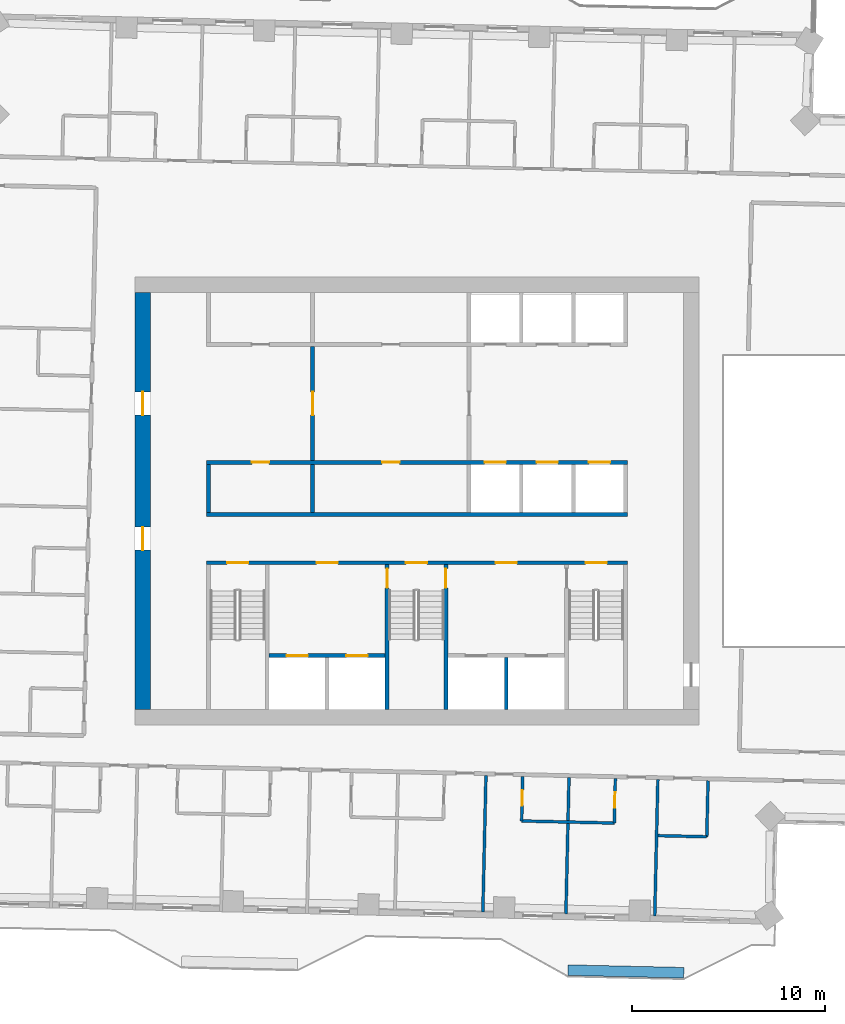
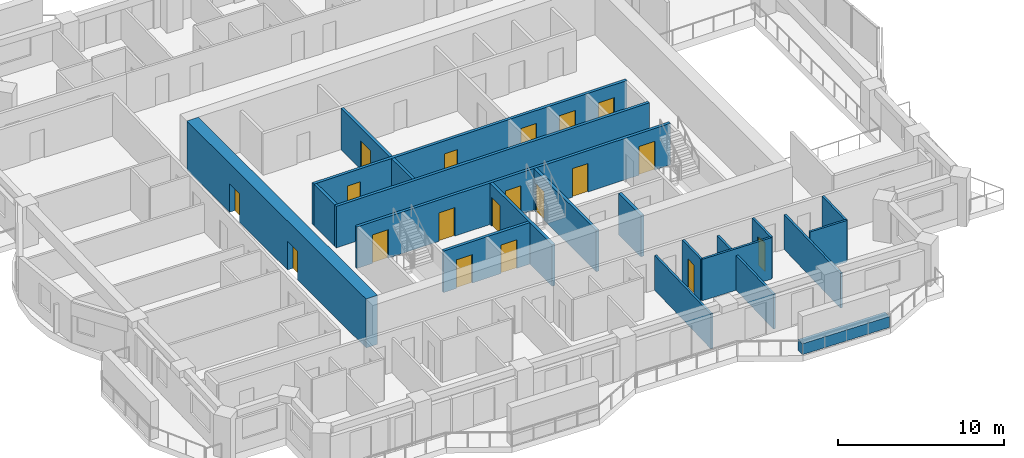
# One storey, part 8 of 16: 20 walls, 19 doors, 19 openings.
"""IFC4 building model written with IfcOpenShell, lengths in metres."""

import ifcopenshell
import ifcopenshell.guid

model = None  # the IFC model being written
_history = None  # IfcOwnerHistory: only IFC2X3 demands one
_inside = {}  # id of a spatial element -> (the spatial element, [elements in it])
_under = {}  # id of a project, library or spatial element -> (it, [spatial elements below it])
_declared = {}  # id of a project -> (the project, [libraries it declares])
_typed = {}  # id of a type object -> (the type object, [elements of that type])
_made_of = {}  # id of a material, layer set ... -> (it, [elements and type objects made of it])


def new_model(schema):
    """Start an empty IFC model of exactly this schema.

    Asked for "IFC4X3", IfcOpenShell would pick the latest addendum, in which some entities
    have other attributes; the version numbers below select the first issue.
    IFC2X3 requires an IfcOwnerHistory on every rooted entity: one is made here for all.
    """
    global model, _history
    if schema == "IFC4X3":
        model = ifcopenshell.file(schema_version=(4, 3, 0, 0))
    else:
        model = ifcopenshell.file(schema=schema)
    _inside.clear()
    _under.clear()
    _declared.clear()
    _typed.clear()
    _made_of.clear()
    _history = None
    if model.schema == "IFC2X3":
        org = make("IfcOrganization", Name="unknown")
        user = make(
            "IfcPersonAndOrganization",
            ThePerson=make("IfcPerson", FamilyName="unknown"),
            TheOrganization=org,
        )
        app = make(
            "IfcApplication",
            ApplicationDeveloper=org,
            Version="unknown",
            ApplicationFullName="unknown",
            ApplicationIdentifier="unknown",
        )
        _history = make(
            "IfcOwnerHistory",
            OwningUser=user,
            OwningApplication=app,
            ChangeAction="ADDED",
            CreationDate=0,
        )
    return model


def make(cls, **values):
    """One entity of the class cls with the attributes given. An attribute that is None is left unset."""
    return model.create_entity(
        cls, **{name: value for name, value in values.items() if value is not None}
    )


def rooted(cls, **values):
    """An entity with a GlobalId (a new one), such as an element, a storey or a relation."""
    return make(cls, GlobalId=ifcopenshell.guid.new(), OwnerHistory=_history, **values)


def si_unit(unit_type, name, prefix=None):
    """IfcSIUnit, for example si_unit("LENGTHUNIT", "METRE", prefix="MILLI")."""
    return make("IfcSIUnit", UnitType=unit_type, Prefix=prefix, Name=name)


def assignment(units):
    """IfcUnitAssignment: the units of a project."""
    return None if units is None else make("IfcUnitAssignment", Units=units)


def point(xyz):
    """IfcCartesianPoint."""
    return None if xyz is None else make("IfcCartesianPoint", Coordinates=xyz)


def direction(xyz):
    """IfcDirection."""
    return None if xyz is None else make("IfcDirection", DirectionRatios=xyz)


def frame(location, z_axis=None, x_axis=None):
    """IfcAxis2Placement3D, a coordinate frame: its origin and axes. An axis left out is left unset."""
    return make(
        "IfcAxis2Placement3D",
        Location=point(location),
        Axis=direction(z_axis),
        RefDirection=direction(x_axis),
    )


def frame_2d(location, x_axis=None):
    """IfcAxis2Placement2D, a coordinate frame in the plane: its origin and x axis."""
    return make(
        "IfcAxis2Placement2D", Location=point(location), RefDirection=direction(x_axis)
    )


def origin():
    """The frame at (0, 0, 0) with its axes left unset."""
    return frame((0.0, 0.0, 0.0))


def place(relative_to, where):
    """IfcLocalPlacement: puts the frame where relative to a parent placement (None: the world)."""
    return make(
        "IfcLocalPlacement", PlacementRelTo=relative_to, RelativePlacement=where
    )


def context(
    kind, dimensions, precision=None, world=None, true_north=None, identifier=None
):
    """IfcGeometricRepresentationContext, for example the 3D "Model" context."""
    return make(
        "IfcGeometricRepresentationContext",
        ContextIdentifier=identifier,
        ContextType=kind,
        CoordinateSpaceDimension=dimensions,
        Precision=precision,
        WorldCoordinateSystem=world,
        TrueNorth=true_north,
    )


def subcontext(parent, identifier, kind, view, scale=None):
    """IfcGeometricRepresentationSubContext, for example "Body" below "Model"."""
    return make(
        "IfcGeometricRepresentationSubContext",
        ContextIdentifier=identifier,
        ContextType=kind,
        ParentContext=parent,
        TargetScale=scale,
        TargetView=view,
    )


def project(units=None, contexts=None):
    """IfcProject with its units and contexts."""
    return rooted(
        "IfcProject",
        Name="project",
        RepresentationContexts=contexts,
        UnitsInContext=assignment(units),
    )


def spatial(cls, under=None, at=None, **own):
    """A site, building, storey or space (cls), placed at a placement, below another one or the project."""
    s = rooted(cls, ObjectPlacement=at, **own)
    if under is not None:
        _under.setdefault(under.id(), (under, []))[1].append(s)
    return s


def profile(cls, at=None, kind="AREA", **sizes):
    """A parametric profile (cls). Its sizes go by their IFC names, for example OverallWidth=200.0."""
    return make(cls, ProfileType=kind, Position=at, **sizes)


def rectangle(**sizes):
    """IfcRectangleProfileDef."""
    return profile("IfcRectangleProfileDef", **sizes)


def extrude(swept, where, along, depth):
    """IfcExtrudedAreaSolid: the profile swept, set in the frame where, extruded along a direction by depth."""
    return make(
        "IfcExtrudedAreaSolid",
        SweptArea=swept,
        Position=where,
        ExtrudedDirection=direction(along),
        Depth=depth,
    )


def shape(context_of_items, identifier, shape_type, items):
    """IfcShapeRepresentation: the items that make up one representation, for example the "Body"."""
    return make(
        "IfcShapeRepresentation",
        ContextOfItems=context_of_items,
        RepresentationIdentifier=identifier,
        RepresentationType=shape_type,
        Items=items,
    )


def material(Name=None, Category=None):
    """IfcMaterial."""
    return make("IfcMaterial", Name=Name, Category=Category)


def layer(
    of_material, thickness, ventilated=None, Name=None, Category=None, Priority=None
):
    """IfcMaterialLayer: one layer of a wall or slab, of a material (None: an air gap)."""
    return make(
        "IfcMaterialLayer",
        Material=of_material,
        LayerThickness=thickness,
        IsVentilated=ventilated,
        Name=Name,
        Category=Category,
        Priority=Priority,
    )


def layer_set(layers, Name=None):
    """IfcMaterialLayerSet."""
    return make("IfcMaterialLayerSet", MaterialLayers=layers, LayerSetName=Name)


def made_of(thing, what):
    """Note that an element or type object is made of a material, layer set ...; save() writes the relation."""
    if what is not None:
        _made_of.setdefault(what.id(), (what, []))[1].append(thing)
    return thing


def type_object(cls, material=None, **own):
    """A type object (cls), such as IfcWallType, which elements share."""
    return made_of(rooted(cls, **own), material)


def element(
    cls,
    number,
    at=None,
    inside=None,
    cuts=None,
    type_object=None,
    material=None,
    context=None,
    identifier="Body",
    shape_type=None,
    held_by="IfcProductDefinitionShape",
    body=None,
    shapes=None,
    **own,
):
    """One element of the class cls, such as IfcWall. Its Tag is "e" and its number.

    at: its placement. inside: the storey or other place that contains it. cuts: it is an
    opening in that element (IfcRelVoidsElement). A single representation is given by context,
    identifier, shape_type and body (its items); several are given by shapes. held_by: the class
    of the entity that holds the representations. save() writes the other relations.
    """
    e = rooted(cls, Tag="e%d" % number, ObjectPlacement=at, **own)
    if body is not None:
        shapes = [shape(context, identifier, shape_type, body)]
    if shapes is not None:
        e.Representation = make(held_by, Representations=shapes)
    if inside is not None:
        _inside.setdefault(inside.id(), (inside, []))[1].append(e)
    if cuts is not None:
        rooted(
            "IfcRelVoidsElement", RelatingBuildingElement=cuts, RelatedOpeningElement=e
        )
    if type_object is not None:
        _typed.setdefault(type_object.id(), (type_object, []))[1].append(e)
    return made_of(e, material)


def fill(opening, filler):
    """IfcRelFillsElement: the door or window that sits in an opening."""
    return rooted(
        "IfcRelFillsElement",
        RelatingOpeningElement=opening,
        RelatedBuildingElement=filler,
    )


def aggregate(whole, parts):
    """IfcRelAggregates: a whole, such as a stair, and the parts it consists of."""
    return rooted("IfcRelAggregates", RelatingObject=whole, RelatedObjects=parts)


def save(model, path):
    """Write the relations noted so far, then the file.

    IfcRelAggregates (storeys below a building ...), IfcRelContainedInSpatialStructure (elements
    in a storey), IfcRelDefinesByType, IfcRelAssociatesMaterial and IfcRelDeclares: one each for
    every whole, place, type object, material and project.
    """
    for whole, parts in _under.values():
        aggregate(whole, parts)
    for where, things in _inside.values():
        rooted(
            "IfcRelContainedInSpatialStructure",
            RelatedElements=things,
            RelatingStructure=where,
        )
    for kind, things in _typed.values():
        rooted("IfcRelDefinesByType", RelatedObjects=things, RelatingType=kind)
    for what, things in _made_of.values():
        rooted("IfcRelAssociatesMaterial", RelatedObjects=things, RelatingMaterial=what)
    for by, libraries in _declared.values():
        rooted("IfcRelDeclares", RelatingContext=by, RelatedDefinitions=libraries)
    model.write(path)


model = new_model("IFC4")

# Units and contexts
model_context = context("Model", 3, precision=1e-05, world=origin(), true_north=direction((0.0, 1.0)))
body_context = subcontext(model_context, "Body", "Model", "MODEL_VIEW")
ifc_project = project(units=[si_unit("LENGTHUNIT", "METRE"), si_unit("AREAUNIT", "SQUARE_METRE"), si_unit("VOLUMEUNIT", "CUBIC_METRE"), si_unit("PLANEANGLEUNIT", "RADIAN"), si_unit("MASSUNIT", "GRAM", prefix="KILO")], contexts=[model_context])

# Site, building, storey
site_placement = place(None, origin())
site = spatial("IfcSite", under=ifc_project, at=site_placement, CompositionType="ELEMENT")
building_placement = place(site_placement, origin())
building = spatial("IfcBuilding", under=site, at=building_placement, Name="Mangrove Gate Tower", CompositionType="ELEMENT")
storey_placement = place(building_placement, frame((0.0, 0.0, 212.300048828125)))
storey = spatial("IfcBuildingStorey", under=building, at=storey_placement, Name="L54", CompositionType="ELEMENT", Elevation=212.300048828125)

# Wall, opening, door
ifc_material_1 = material(Name="Concrete C32/40", Category="concrete")
ifc_layer_1 = layer(ifc_material_1, 0.199951171875)
ifc_layer_set_1 = layer_set([ifc_layer_1], Name="Core lobby wall 200 C32/40")
wall_type_1 = type_object("IfcWallType", Name="Core lobby wall 200 C32/40", PredefinedType="STANDARD", material=ifc_layer_set_1)
wall_1_placement = place(storey_placement, frame((-5.39990234375, 2.10009765625, 0.0), z_axis=(0.0, 0.0, 1.0), x_axis=(0.0, 1.0, 0.0)))
wall_1 = element("IfcWall", 1, at=wall_1_placement, inside=storey, type_object=wall_type_1, Name="WALL-L54-CORE-31", PredefinedType="STANDARD", context=body_context, shape_type="SweptSolid", body=[
    extrude(rectangle(XDim=5.89990234375, YDim=0.199951171875, at=frame_2d((2.949951171875, 0.0))), origin(), (0.0, 0.0, 1.0), 3.050048828125),
])
opening_1_placement = place(wall_1_placement, frame((2.35009765625, 0.0, 0.0)))
opening_1 = element("IfcOpeningElement", 2, at=opening_1_placement, cuts=wall_1, Name="Opening FL12", PredefinedType="OPENING", context=body_context, shape_type="SweptSolid", body=[
    extrude(rectangle(XDim=1.199951171875, YDim=2.10009765625, at=frame_2d((0.60009765625, 1.050048828125))), frame((0.0, 0.10986328125, 0.0), z_axis=(0.0, -1.0, 0.0), x_axis=(1.0, 0.0, 0.0)), (0.0, 0.0, 1.0), 0.219970703125),
])
ifc_material_2 = material(Name="Fire-rated steel door set", Category="steel")
door_type_1 = type_object("IfcDoorType", Name="Lobby door FD60 1200x2100", OperationType="SINGLE_SWING_LEFT", PredefinedType="DOOR", material=ifc_material_2)
door_1_placement = place(opening_1_placement, origin())
door_1 = element("IfcDoor", 3, at=door_1_placement, inside=storey, type_object=door_type_1, Name="Lobby door lift lobby partition", OperationType="SINGLE_SWING_LEFT", OverallHeight=2.10009765625, OverallWidth=1.199951171875, PredefinedType="DOOR", context=body_context, shape_type="SweptSolid", body=[
    extrude(rectangle(XDim=1.199951171875, YDim=2.10009765625, at=frame_2d((0.60009765625, 1.050048828125))), frame((0.0, 0.02490234375, 0.0), z_axis=(0.0, -1.0, 0.0), x_axis=(1.0, 0.0, 0.0)), (0.0, 0.0, 1.0), 0.050048828125),
])
fill(opening_1, door_1)

# Walls
ifc_material_3 = material(Name="Concrete C32/40", Category="concrete")
ifc_layer_2 = layer(ifc_material_3, 0.199951171875)
ifc_layer_set_2 = layer_set([ifc_layer_2], Name="Core room wall 200 C32/40")
wall_type_2 = type_object("IfcWallType", Name="Core room wall 200 C32/40", PredefinedType="STANDARD", material=ifc_layer_set_2)
for number, where, z_axis, x_axis, name in (
    (4, (-10.800048828125, -0.60009765625, 0.0), (0.0, 0.0, 1.0), (0.0, 1.0, 0.0), "WALL-L54-CORE-19"),
    (5, (-5.39990234375, -0.60009765625, 0.0), (0.0, 0.0, 1.0), (0.0, 1.0, 0.0), "WALL-L54-CORE-20"),
):
    element("IfcWall", number, at=place(storey_placement, frame(where, z_axis=z_axis, x_axis=x_axis)), inside=storey, type_object=wall_type_2, Name=name, PredefinedType="STANDARD", context=body_context, shape_type="SweptSolid", body=[
        extrude(rectangle(XDim=2.5, YDim=0.199951171875, at=frame_2d((1.25, 0.0))), origin(), (0.0, 0.0, 1.0), 3.050048828125),
    ])
ifc_material_4 = material(Name="Concrete C60/75", Category="concrete")
ifc_layer_3 = layer(ifc_material_4, 0.199951171875)
ifc_layer_set_3 = layer_set([ifc_layer_3], Name="Core shaft wall 200 C60/75")
wall_type_3 = type_object("IfcWallType", Name="Core shaft wall 200 C60/75", PredefinedType="SHEAR", material=ifc_layer_set_3)
wall_2_placement = place(storey_placement, frame((-10.89990234375, -0.699951171875, 0.0), z_axis=(0.0, 0.0, 1.0), x_axis=(1.0, 0.0, 0.0)))
element("IfcWall", 6, at=wall_2_placement, inside=storey, type_object=wall_type_3, Name="WALL-L54-CORE-6", PredefinedType="SHEAR", context=body_context, shape_type="SweptSolid", body=[
    extrude(rectangle(XDim=21.7998046875, YDim=0.199951171875, at=frame_2d((10.89990234375, 0.0))), origin(), (0.0, 0.0, 1.0), 3.050048828125),
])

# Wall, openings, doors
wall_3_placement = place(storey_placement, frame((-10.89990234375, 2.0, 0.0), z_axis=(0.0, 0.0, 1.0), x_axis=(1.0, 0.0, 0.0)))
wall_3 = element("IfcWall", 7, at=wall_3_placement, inside=storey, type_object=wall_type_3, Name="WALL-L54-CORE-7", PredefinedType="SHEAR", context=body_context, shape_type="SweptSolid", body=[
    extrude(rectangle(XDim=21.7998046875, YDim=0.199951171875, at=frame_2d((10.89990234375, 0.0))), origin(), (0.0, 0.0, 1.0), 3.050048828125),
])
opening_2_placement = place(wall_3_placement, frame((14.39990234375, 0.0, 0.0)))
opening_2 = element("IfcOpeningElement", 8, at=opening_2_placement, cuts=wall_3, Name="Opening LD", PredefinedType="OPENING", context=body_context, shape_type="SweptSolid", body=[
    extrude(rectangle(XDim=1.10009765625, YDim=2.10009765625, at=frame_2d((0.550048828125, 1.050048828125))), frame((0.0, 0.10986328125, 0.0), z_axis=(0.0, -1.0, 0.0), x_axis=(1.0, 0.0, 0.0)), (0.0, 0.0, 1.0), 0.219970703125),
])
opening_3_placement = place(wall_3_placement, frame((17.10009765625, 0.0, 0.0)))
opening_3 = element("IfcOpeningElement", 9, at=opening_3_placement, cuts=wall_3, Name="Opening LD", PredefinedType="OPENING", context=body_context, shape_type="SweptSolid", body=[
    extrude(rectangle(XDim=1.10009765625, YDim=2.10009765625, at=frame_2d((0.550048828125, 1.050048828125))), frame((0.0, 0.10986328125, 0.0), z_axis=(0.0, -1.0, 0.0), x_axis=(1.0, 0.0, 0.0)), (0.0, 0.0, 1.0), 0.219970703125),
])
opening_4_placement = place(wall_3_placement, frame((19.800048828125, 0.0, 0.0)))
opening_4 = element("IfcOpeningElement", 10, at=opening_4_placement, cuts=wall_3, Name="Opening LD", PredefinedType="OPENING", context=body_context, shape_type="SweptSolid", body=[
    extrude(rectangle(XDim=1.10009765625, YDim=2.10009765625, at=frame_2d((0.550048828125, 1.050048828125))), frame((0.0, 0.10986328125, 0.0), z_axis=(0.0, -1.0, 0.0), x_axis=(1.0, 0.0, 0.0)), (0.0, 0.0, 1.0), 0.219970703125),
])
opening_5_placement = place(wall_3_placement, frame((2.35009765625, 0.0, 0.0)))
opening_5 = element("IfcOpeningElement", 11, at=opening_5_placement, cuts=wall_3, Name="Opening RD", PredefinedType="OPENING", context=body_context, shape_type="SweptSolid", body=[
    extrude(rectangle(XDim=0.89990234375, YDim=2.10009765625, at=frame_2d((0.449951171875, 1.050048828125))), frame((0.0, 0.10986328125, 0.0), z_axis=(0.0, -1.0, 0.0), x_axis=(1.0, 0.0, 0.0)), (0.0, 0.0, 1.0), 0.219970703125),
])
opening_6_placement = place(wall_3_placement, frame((9.10009765625, 0.0, 0.0)))
opening_6 = element("IfcOpeningElement", 12, at=opening_6_placement, cuts=wall_3, Name="Opening RD", PredefinedType="OPENING", context=body_context, shape_type="SweptSolid", body=[
    extrude(rectangle(XDim=0.89990234375, YDim=2.10009765625, at=frame_2d((0.449951171875, 1.050048828125))), frame((0.0, 0.10986328125, 0.0), z_axis=(0.0, -1.0, 0.0), x_axis=(1.0, 0.0, 0.0)), (0.0, 0.0, 1.0), 0.219970703125),
])
ifc_material_5 = material(Name="Stainless steel 316", Category="steel")
door_type_2 = type_object("IfcDoorType", Name="Lift landing door 1100x2100", OperationType="SLIDING_TO_LEFT", PredefinedType="DOOR", material=ifc_material_5)
door_2_placement = place(opening_2_placement, origin())
door_2 = element("IfcDoor", 13, at=door_2_placement, inside=storey, type_object=door_type_2, Name="Landing door LD M01", OperationType="SLIDING_TO_LEFT", OverallHeight=2.10009765625, OverallWidth=1.10009765625, PredefinedType="DOOR", context=body_context, shape_type="SweptSolid", body=[
    extrude(rectangle(XDim=1.10009765625, YDim=2.10009765625, at=frame_2d((0.550048828125, 1.050048828125))), frame((0.0, 0.02490234375, 0.0), z_axis=(0.0, -1.0, 0.0), x_axis=(1.0, 0.0, 0.0)), (0.0, 0.0, 1.0), 0.050048828125),
])
fill(opening_2, door_2)
door_3_placement = place(opening_3_placement, origin())
door_3 = element("IfcDoor", 14, at=door_3_placement, inside=storey, type_object=door_type_2, Name="Landing door LD M02", OperationType="SLIDING_TO_LEFT", OverallHeight=2.10009765625, OverallWidth=1.10009765625, PredefinedType="DOOR", context=body_context, shape_type="SweptSolid", body=[
    extrude(rectangle(XDim=1.10009765625, YDim=2.10009765625, at=frame_2d((0.550048828125, 1.050048828125))), frame((0.0, 0.02490234375, 0.0), z_axis=(0.0, -1.0, 0.0), x_axis=(1.0, 0.0, 0.0)), (0.0, 0.0, 1.0), 0.050048828125),
])
fill(opening_3, door_3)
door_4_placement = place(opening_4_placement, origin())
door_4 = element("IfcDoor", 15, at=door_4_placement, inside=storey, type_object=door_type_2, Name="Landing door LD M03", OperationType="SLIDING_TO_LEFT", OverallHeight=2.10009765625, OverallWidth=1.10009765625, PredefinedType="DOOR", context=body_context, shape_type="SweptSolid", body=[
    extrude(rectangle(XDim=1.10009765625, YDim=2.10009765625, at=frame_2d((0.550048828125, 1.050048828125))), frame((0.0, 0.02490234375, 0.0), z_axis=(0.0, -1.0, 0.0), x_axis=(1.0, 0.0, 0.0)), (0.0, 0.0, 1.0), 0.050048828125),
])
fill(opening_4, door_4)
ifc_material_6 = material(Name="Fire-rated steel door set", Category="steel")
door_type_3 = type_object("IfcDoorType", Name="Riser door FD30S 900x2100", OperationType="SINGLE_SWING_LEFT", PredefinedType="DOOR", material=ifc_material_6)
door_5_placement = place(opening_5_placement, origin())
door_5 = element("IfcDoor", 16, at=door_5_placement, inside=storey, type_object=door_type_3, Name="Riser door Switch room", OperationType="SINGLE_SWING_LEFT", OverallHeight=2.10009765625, OverallWidth=0.89990234375, PredefinedType="DOOR", context=body_context, shape_type="SweptSolid", body=[
    extrude(rectangle(XDim=0.89990234375, YDim=2.10009765625, at=frame_2d((0.449951171875, 1.050048828125))), frame((0.0, 0.02490234375, 0.0), z_axis=(0.0, -1.0, 0.0), x_axis=(1.0, 0.0, 0.0)), (0.0, 0.0, 1.0), 0.050048828125),
])
fill(opening_5, door_5)
door_6_placement = place(opening_6_placement, origin())
door_6 = element("IfcDoor", 17, at=door_6_placement, inside=storey, type_object=door_type_3, Name="Riser door Comms room", OperationType="SINGLE_SWING_LEFT", OverallHeight=2.10009765625, OverallWidth=0.89990234375, PredefinedType="DOOR", context=body_context, shape_type="SweptSolid", body=[
    extrude(rectangle(XDim=0.89990234375, YDim=2.10009765625, at=frame_2d((0.449951171875, 1.050048828125))), frame((0.0, 0.02490234375, 0.0), z_axis=(0.0, -1.0, 0.0), x_axis=(1.0, 0.0, 0.0)), (0.0, 0.0, 1.0), 0.050048828125),
])
fill(opening_6, door_6)

wall_4_placement = place(storey_placement, frame((-7.64990234375, -8.0, 0.0), z_axis=(0.0, 0.0, 1.0), x_axis=(1.0, 0.0, 0.0)))
wall_4 = element("IfcWall", 18, at=wall_4_placement, inside=storey, type_object=wall_type_3, Name="WALL-L54-CORE-15", PredefinedType="SHEAR", context=body_context, shape_type="SweptSolid", body=[
    extrude(rectangle(XDim=6.0, YDim=0.199951171875, at=frame_2d((3.0, 0.0))), origin(), (0.0, 0.0, 1.0), 3.050048828125),
])
opening_7_placement = place(wall_4_placement, frame((0.89990234375, 0.0, 0.0)))
opening_7 = element("IfcOpeningElement", 19, at=opening_7_placement, cuts=wall_4, Name="Opening LD", PredefinedType="OPENING", context=body_context, shape_type="SweptSolid", body=[
    extrude(rectangle(XDim=1.10009765625, YDim=2.10009765625, at=frame_2d((0.550048828125, 1.050048828125))), frame((0.0, 0.10986328125, 0.0), z_axis=(0.0, -1.0, 0.0), x_axis=(1.0, 0.0, 0.0)), (0.0, 0.0, 1.0), 0.219970703125),
])
opening_8_placement = place(wall_4_placement, frame((4.0, 0.0, 0.0)))
opening_8 = element("IfcOpeningElement", 20, at=opening_8_placement, cuts=wall_4, Name="Opening LD", PredefinedType="OPENING", context=body_context, shape_type="SweptSolid", body=[
    extrude(rectangle(XDim=1.10009765625, YDim=2.10009765625, at=frame_2d((0.550048828125, 1.050048828125))), frame((0.0, 0.10986328125, 0.0), z_axis=(0.0, -1.0, 0.0), x_axis=(1.0, 0.0, 0.0)), (0.0, 0.0, 1.0), 0.219970703125),
])
door_7_placement = place(opening_7_placement, origin())
door_7 = element("IfcDoor", 21, at=door_7_placement, inside=storey, type_object=door_type_2, Name="Landing door LD SVL1", OperationType="SLIDING_TO_LEFT", OverallHeight=2.10009765625, OverallWidth=1.10009765625, PredefinedType="DOOR", context=body_context, shape_type="SweptSolid", body=[
    extrude(rectangle(XDim=1.10009765625, YDim=2.10009765625, at=frame_2d((0.550048828125, 1.050048828125))), frame((0.0, 0.02490234375, 0.0), z_axis=(0.0, -1.0, 0.0), x_axis=(1.0, 0.0, 0.0)), (0.0, 0.0, 1.0), 0.050048828125),
])
fill(opening_7, door_7)
door_8_placement = place(opening_8_placement, origin())
door_8 = element("IfcDoor", 22, at=door_8_placement, inside=storey, type_object=door_type_2, Name="Landing door LD SVL2", OperationType="SLIDING_TO_LEFT", OverallHeight=2.10009765625, OverallWidth=1.10009765625, PredefinedType="DOOR", context=body_context, shape_type="SweptSolid", body=[
    extrude(rectangle(XDim=1.10009765625, YDim=2.10009765625, at=frame_2d((0.550048828125, 1.050048828125))), frame((0.0, 0.02490234375, 0.0), z_axis=(0.0, -1.0, 0.0), x_axis=(1.0, 0.0, 0.0)), (0.0, 0.0, 1.0), 0.050048828125),
])
fill(opening_8, door_8)

# Wall
wall_5_placement = place(storey_placement, frame((4.625, -10.800048828125, 0.0), z_axis=(0.0, 0.0, 1.0), x_axis=(0.0, 1.0, 0.0)))
element("IfcWall", 23, at=wall_5_placement, inside=storey, type_object=wall_type_3, Name="WALL-L54-CORE-18", PredefinedType="SHEAR", context=body_context, shape_type="SweptSolid", body=[
    extrude(rectangle(XDim=2.699951171875, YDim=0.199951171875, at=frame_2d((1.35009765625, 0.0))), origin(), (0.0, 0.0, 1.0), 3.050048828125),
])

# Wall, openings, doors
ifc_material_7 = material(Name="Concrete C60/75", Category="concrete")
ifc_layer_4 = layer(ifc_material_7, 0.199951171875)
ifc_layer_set_4 = layer_set([ifc_layer_4], Name="Core stair wall 200 C60/75")
wall_type_4 = type_object("IfcWallType", Name="Core stair wall 200 C60/75", PredefinedType="SHEAR", material=ifc_layer_set_4)
wall_6_placement = place(storey_placement, frame((-10.89990234375, -3.199951171875, 0.0), z_axis=(0.0, 0.0, 1.0), x_axis=(1.0, 0.0, 0.0)))
wall_6 = element("IfcWall", 24, at=wall_6_placement, inside=storey, type_object=wall_type_4, Name="WALL-L54-CORE-5", PredefinedType="SHEAR", context=body_context, shape_type="SweptSolid", body=[
    extrude(rectangle(XDim=21.7998046875, YDim=0.199951171875, at=frame_2d((10.89990234375, 0.0))), origin(), (0.0, 0.0, 1.0), 3.050048828125),
])
opening_9_placement = place(wall_6_placement, frame((1.074951171875, 0.0, 0.0)))
opening_9 = element("IfcOpeningElement", 25, at=opening_9_placement, cuts=wall_6, Name="Opening STD11", PredefinedType="OPENING", context=body_context, shape_type="SweptSolid", body=[
    extrude(rectangle(XDim=1.10009765625, YDim=2.10009765625, at=frame_2d((0.550048828125, 1.050048828125))), frame((0.0, 0.10986328125, 0.0), z_axis=(0.0, -1.0, 0.0), x_axis=(1.0, 0.0, 0.0)), (0.0, 0.0, 1.0), 0.219970703125),
])
opening_10_placement = place(wall_6_placement, frame((10.324951171875, 0.0, 0.0)))
opening_10 = element("IfcOpeningElement", 26, at=opening_10_placement, cuts=wall_6, Name="Opening STD11", PredefinedType="OPENING", context=body_context, shape_type="SweptSolid", body=[
    extrude(rectangle(XDim=1.10009765625, YDim=2.10009765625, at=frame_2d((0.550048828125, 1.050048828125))), frame((0.0, 0.10986328125, 0.0), z_axis=(0.0, -1.0, 0.0), x_axis=(1.0, 0.0, 0.0)), (0.0, 0.0, 1.0), 0.219970703125),
])
opening_11_placement = place(wall_6_placement, frame((19.625, 0.0, 0.0)))
opening_11 = element("IfcOpeningElement", 27, at=opening_11_placement, cuts=wall_6, Name="Opening STD11", PredefinedType="OPENING", context=body_context, shape_type="SweptSolid", body=[
    extrude(rectangle(XDim=1.10009765625, YDim=2.10009765625, at=frame_2d((0.550048828125, 1.050048828125))), frame((0.0, 0.10986328125, 0.0), z_axis=(0.0, -1.0, 0.0), x_axis=(1.0, 0.0, 0.0)), (0.0, 0.0, 1.0), 0.219970703125),
])
opening_12_placement = place(wall_6_placement, frame((5.699951171875, 0.0, 0.0)))
opening_12 = element("IfcOpeningElement", 28, at=opening_12_placement, cuts=wall_6, Name="Opening FL", PredefinedType="OPENING", context=body_context, shape_type="SweptSolid", body=[
    extrude(rectangle(XDim=1.10009765625, YDim=2.10009765625, at=frame_2d((0.550048828125, 1.050048828125))), frame((0.0, 0.10986328125, 0.0), z_axis=(0.0, -1.0, 0.0), x_axis=(1.0, 0.0, 0.0)), (0.0, 0.0, 1.0), 0.219970703125),
])
opening_13_placement = place(wall_6_placement, frame((14.97509765625, 0.0, 0.0)))
opening_13 = element("IfcOpeningElement", 29, at=opening_13_placement, cuts=wall_6, Name="Opening FL", PredefinedType="OPENING", context=body_context, shape_type="SweptSolid", body=[
    extrude(rectangle(XDim=1.10009765625, YDim=2.10009765625, at=frame_2d((0.550048828125, 1.050048828125))), frame((0.0, 0.10986328125, 0.0), z_axis=(0.0, -1.0, 0.0), x_axis=(1.0, 0.0, 0.0)), (0.0, 0.0, 1.0), 0.219970703125),
])
ifc_material_8 = material(Name="Fire-rated steel door set", Category="steel")
door_type_4 = type_object("IfcDoorType", Name="Lobby door FD60 1100x2100", OperationType="SINGLE_SWING_LEFT", PredefinedType="DOOR", material=ifc_material_8)
door_9_placement = place(opening_12_placement, origin())
door_9 = element("IfcDoor", 30, at=door_9_placement, inside=storey, type_object=door_type_4, Name="Lobby door service lobby", OperationType="SINGLE_SWING_LEFT", OverallHeight=2.10009765625, OverallWidth=1.10009765625, PredefinedType="DOOR", context=body_context, shape_type="SweptSolid", body=[
    extrude(rectangle(XDim=1.10009765625, YDim=2.10009765625, at=frame_2d((0.550048828125, 1.050048828125))), frame((0.0, 0.02490234375, 0.0), z_axis=(0.0, -1.0, 0.0), x_axis=(1.0, 0.0, 0.0)), (0.0, 0.0, 1.0), 0.050048828125),
])
fill(opening_12, door_9)
door_10_placement = place(opening_13_placement, origin())
door_10 = element("IfcDoor", 31, at=door_10_placement, inside=storey, type_object=door_type_4, Name="Lobby door fire-fighting lobby", OperationType="SINGLE_SWING_LEFT", OverallHeight=2.10009765625, OverallWidth=1.10009765625, PredefinedType="DOOR", context=body_context, shape_type="SweptSolid", body=[
    extrude(rectangle(XDim=1.10009765625, YDim=2.10009765625, at=frame_2d((0.550048828125, 1.050048828125))), frame((0.0, 0.02490234375, 0.0), z_axis=(0.0, -1.0, 0.0), x_axis=(1.0, 0.0, 0.0)), (0.0, 0.0, 1.0), 0.050048828125),
])
fill(opening_13, door_10)
ifc_material_9 = material(Name="Fire-rated steel door set", Category="steel")
door_type_5 = type_object("IfcDoorType", Name="Stair door FD60 1100x2100", OperationType="SINGLE_SWING_RIGHT", PredefinedType="DOOR", material=ifc_material_9)
door_11_placement = place(opening_9_placement, origin())
door_11 = element("IfcDoor", 32, at=door_11_placement, inside=storey, type_object=door_type_5, Name="Stair door Stair 1", OperationType="SINGLE_SWING_RIGHT", OverallHeight=2.10009765625, OverallWidth=1.10009765625, PredefinedType="DOOR", context=body_context, shape_type="SweptSolid", body=[
    extrude(rectangle(XDim=1.10009765625, YDim=2.10009765625, at=frame_2d((0.550048828125, 1.050048828125))), frame((0.0, 0.02490234375, 0.0), z_axis=(0.0, -1.0, 0.0), x_axis=(1.0, 0.0, 0.0)), (0.0, 0.0, 1.0), 0.050048828125),
])
fill(opening_9, door_11)
door_12_placement = place(opening_10_placement, origin())
door_12 = element("IfcDoor", 33, at=door_12_placement, inside=storey, type_object=door_type_5, Name="Stair door Stair 2", OperationType="SINGLE_SWING_RIGHT", OverallHeight=2.10009765625, OverallWidth=1.10009765625, PredefinedType="DOOR", context=body_context, shape_type="SweptSolid", body=[
    extrude(rectangle(XDim=1.10009765625, YDim=2.10009765625, at=frame_2d((0.550048828125, 1.050048828125))), frame((0.0, 0.02490234375, 0.0), z_axis=(0.0, -1.0, 0.0), x_axis=(1.0, 0.0, 0.0)), (0.0, 0.0, 1.0), 0.050048828125),
])
fill(opening_10, door_12)
door_13_placement = place(opening_11_placement, origin())
door_13 = element("IfcDoor", 34, at=door_13_placement, inside=storey, type_object=door_type_5, Name="Stair door Stair 3", OperationType="SINGLE_SWING_RIGHT", OverallHeight=2.10009765625, OverallWidth=1.10009765625, PredefinedType="DOOR", context=body_context, shape_type="SweptSolid", body=[
    extrude(rectangle(XDim=1.10009765625, YDim=2.10009765625, at=frame_2d((0.550048828125, 1.050048828125))), frame((0.0, 0.02490234375, 0.0), z_axis=(0.0, -1.0, 0.0), x_axis=(1.0, 0.0, 0.0)), (0.0, 0.0, 1.0), 0.050048828125),
])
fill(opening_11, door_13)

# Wall, opening, door
wall_7_placement = place(storey_placement, frame((-1.550048828125, -10.800048828125, 0.0), z_axis=(0.0, 0.0, 1.0), x_axis=(0.0, 1.0, 0.0)))
wall_7 = element("IfcWall", 35, at=wall_7_placement, inside=storey, type_object=wall_type_4, Name="WALL-L54-CORE-11", PredefinedType="SHEAR", context=body_context, shape_type="SweptSolid", body=[
    extrude(rectangle(XDim=7.5, YDim=0.199951171875, at=frame_2d((3.75, 0.0))), origin(), (0.0, 0.0, 1.0), 3.050048828125),
])
opening_14_placement = place(wall_7_placement, frame((6.300048828125, 0.0, 0.0)))
opening_14 = element("IfcOpeningElement", 36, at=opening_14_placement, cuts=wall_7, Name="Opening STD10", PredefinedType="OPENING", context=body_context, shape_type="SweptSolid", body=[
    extrude(rectangle(XDim=1.0, YDim=2.10009765625, at=frame_2d((0.5, 1.050048828125))), frame((0.0, 0.10986328125, 0.0), z_axis=(0.0, -1.0, 0.0), x_axis=(1.0, 0.0, 0.0)), (0.0, 0.0, 1.0), 0.219970703125),
])
ifc_material_10 = material(Name="Fire-rated steel door set", Category="steel")
door_type_6 = type_object("IfcDoorType", Name="Stair door FD60 1000x2100", OperationType="SINGLE_SWING_RIGHT", PredefinedType="DOOR", material=ifc_material_10)
door_14_placement = place(opening_14_placement, origin())
door_14 = element("IfcDoor", 37, at=door_14_placement, inside=storey, type_object=door_type_6, Name="Stair door Stair 2 from service lobby", OperationType="SINGLE_SWING_RIGHT", OverallHeight=2.10009765625, OverallWidth=1.0, PredefinedType="DOOR", context=body_context, shape_type="SweptSolid", body=[
    extrude(rectangle(XDim=1.0, YDim=2.10009765625, at=frame_2d((0.5, 1.050048828125))), frame((0.0, 0.02490234375, 0.0), z_axis=(0.0, -1.0, 0.0), x_axis=(1.0, 0.0, 0.0)), (0.0, 0.0, 1.0), 0.050048828125),
])
fill(opening_14, door_14)

wall_8_placement = place(storey_placement, frame((1.5, -10.800048828125, 0.0), z_axis=(0.0, 0.0, 1.0), x_axis=(0.0, 1.0, 0.0)))
wall_8 = element("IfcWall", 38, at=wall_8_placement, inside=storey, type_object=wall_type_4, Name="WALL-L54-CORE-12", PredefinedType="SHEAR", context=body_context, shape_type="SweptSolid", body=[
    extrude(rectangle(XDim=7.5, YDim=0.199951171875, at=frame_2d((3.75, 0.0))), origin(), (0.0, 0.0, 1.0), 3.050048828125),
])
opening_15_placement = place(wall_8_placement, frame((6.300048828125, 0.0, 0.0)))
opening_15 = element("IfcOpeningElement", 39, at=opening_15_placement, cuts=wall_8, Name="Opening STD10", PredefinedType="OPENING", context=body_context, shape_type="SweptSolid", body=[
    extrude(rectangle(XDim=1.0, YDim=2.10009765625, at=frame_2d((0.5, 1.050048828125))), frame((0.0, 0.10986328125, 0.0), z_axis=(0.0, -1.0, 0.0), x_axis=(1.0, 0.0, 0.0)), (0.0, 0.0, 1.0), 0.219970703125),
])
door_15_placement = place(opening_15_placement, origin())
door_15 = element("IfcDoor", 40, at=door_15_placement, inside=storey, type_object=door_type_6, Name="Stair door Stair 2 from fire-fighting lobby", OperationType="SINGLE_SWING_RIGHT", OverallHeight=2.10009765625, OverallWidth=1.0, PredefinedType="DOOR", context=body_context, shape_type="SweptSolid", body=[
    extrude(rectangle(XDim=1.0, YDim=2.10009765625, at=frame_2d((0.5, 1.050048828125))), frame((0.0, 0.02490234375, 0.0), z_axis=(0.0, -1.0, 0.0), x_axis=(1.0, 0.0, 0.0)), (0.0, 0.0, 1.0), 0.050048828125),
])
fill(opening_15, door_15)

# Wall, openings, doors
ifc_material_11 = material(Name="Concrete C60/75", Category="concrete")
ifc_layer_5 = layer(ifc_material_11, 0.800048828125)
ifc_layer_set_5 = layer_set([ifc_layer_5], Name="Core wall 800 C60/75")
wall_type_5 = type_object("IfcWallType", Name="Core wall 800 C60/75", PredefinedType="SHEAR", material=ifc_layer_set_5)
wall_9_placement = place(storey_placement, frame((-14.199951171875, -10.800048828125, 0.0), z_axis=(0.0, 0.0, 1.0), x_axis=(0.0, 1.0, 0.0)))
wall_9 = element("IfcWall", 41, at=wall_9_placement, inside=storey, type_object=wall_type_5, Name="WALL-L54-CORE-3", PredefinedType="SHEAR", context=body_context, shape_type="SweptSolid", body=[
    extrude(rectangle(XDim=21.60009765625, YDim=0.800048828125, at=frame_2d((10.800048828125, 0.0))), origin(), (0.0, 0.0, 1.0), 3.599853515625),
])
opening_16_placement = place(wall_9_placement, frame((8.25, 0.0, 0.0)))
opening_16 = element("IfcOpeningElement", 42, at=opening_16_placement, cuts=wall_9, Name="Opening CD", PredefinedType="OPENING", context=body_context, shape_type="SweptSolid", body=[
    extrude(rectangle(XDim=1.199951171875, YDim=2.10009765625, at=frame_2d((0.60009765625, 1.050048828125))), frame((0.0, 0.409912109375, 0.0), z_axis=(0.0, -1.0, 0.0), x_axis=(1.0, 0.0, 0.0)), (0.0, 0.0, 1.0), 0.820068359375),
])
opening_17_placement = place(wall_9_placement, frame((15.25, 0.0, 0.0)))
opening_17 = element("IfcOpeningElement", 43, at=opening_17_placement, cuts=wall_9, Name="Opening CD", PredefinedType="OPENING", context=body_context, shape_type="SweptSolid", body=[
    extrude(rectangle(XDim=1.199951171875, YDim=2.10009765625, at=frame_2d((0.60009765625, 1.050048828125))), frame((0.0, 0.409912109375, 0.0), z_axis=(0.0, -1.0, 0.0), x_axis=(1.0, 0.0, 0.0)), (0.0, 0.0, 1.0), 0.820068359375),
])
ifc_material_12 = material(Name="Fire-rated steel door set", Category="steel")
door_type_7 = type_object("IfcDoorType", Name="Core ring door FD60 1200x2100", OperationType="DOUBLE_DOOR_SINGLE_SWING", PredefinedType="DOOR", material=ifc_material_12)
door_16_placement = place(opening_16_placement, origin())
door_16 = element("IfcDoor", 44, at=door_16_placement, inside=storey, type_object=door_type_7, Name="Core ring door W1", OperationType="DOUBLE_DOOR_SINGLE_SWING", OverallHeight=2.10009765625, OverallWidth=1.199951171875, PredefinedType="DOOR", context=body_context, shape_type="SweptSolid", body=[
    extrude(rectangle(XDim=1.199951171875, YDim=2.10009765625, at=frame_2d((0.60009765625, 1.050048828125))), frame((0.0, 0.02490234375, 0.0), z_axis=(0.0, -1.0, 0.0), x_axis=(1.0, 0.0, 0.0)), (0.0, 0.0, 1.0), 0.050048828125),
])
fill(opening_16, door_16)
door_17_placement = place(opening_17_placement, origin())
door_17 = element("IfcDoor", 45, at=door_17_placement, inside=storey, type_object=door_type_7, Name="Core ring door W2", OperationType="DOUBLE_DOOR_SINGLE_SWING", OverallHeight=2.10009765625, OverallWidth=1.199951171875, PredefinedType="DOOR", context=body_context, shape_type="SweptSolid", body=[
    extrude(rectangle(XDim=1.199951171875, YDim=2.10009765625, at=frame_2d((0.60009765625, 1.050048828125))), frame((0.0, 0.02490234375, 0.0), z_axis=(0.0, -1.0, 0.0), x_axis=(1.0, 0.0, 0.0)), (0.0, 0.0, 1.0), 0.050048828125),
])
fill(opening_17, door_17)

# Walls
ifc_material_13 = material(Name="Gypsum board on steel stud, EI 60", Category="steel")
ifc_layer_6 = layer(ifc_material_13, 0.14990234375)
ifc_layer_set_6 = layer_set([ifc_layer_6], Name="Party wall 150 EI 60")
wall_type_6 = type_object("IfcWallType", Name="Party wall 150 EI 60", PredefinedType="PARTITIONING", material=ifc_layer_set_6)
wall_10_placement = place(storey_placement, frame((3.410888671875, -21.27001953125, 0.0), z_axis=(0.0, 0.0, 1.0), x_axis=(0.022714326521, 0.999741996402, 0.0)))
element("IfcWall", 46, at=wall_10_placement, inside=storey, type_object=wall_type_6, Name="WALL-L54-006", PredefinedType="PARTITIONING", context=body_context, shape_type="SweptSolid", body=[
    extrude(rectangle(XDim=7.05078125, YDim=0.14990234375, at=frame_2d((3.525390625, 0.0))), origin(), (0.0, 0.0, 1.0), 2.550048828125),
])
wall_11_placement = place(storey_placement, frame((7.7099609375, -21.366943359375, 0.0), z_axis=(0.0, 0.0, 1.0), x_axis=(0.022718258661, 0.999741907056, 0.0)))
element("IfcWall", 47, at=wall_11_placement, inside=storey, type_object=wall_type_6, Name="WALL-L54-007", PredefinedType="PARTITIONING", context=body_context, shape_type="SweptSolid", body=[
    extrude(rectangle(XDim=7.049560546875, YDim=0.14990234375, at=frame_2d((3.52490234375, 0.0))), origin(), (0.0, 0.0, 1.0), 2.550048828125),
])
wall_12_placement = place(storey_placement, frame((12.30908203125, -21.471923828125, 0.0), z_axis=(0.0, 0.0, 1.0), x_axis=(0.022680503969, 0.999742764285, 0.0)))
element("IfcWall", 48, at=wall_12_placement, inside=storey, type_object=wall_type_6, Name="WALL-L54-008", PredefinedType="PARTITIONING", context=body_context, shape_type="SweptSolid", body=[
    extrude(rectangle(XDim=7.050537109375, YDim=0.14990234375, at=frame_2d((3.525390625, 0.0))), origin(), (0.0, 0.0, 1.0), 2.550048828125),
])
wall_13_placement = place(storey_placement, frame((12.47607421875, -17.323974609375, 0.0), z_axis=(0.0, 0.0, 1.0), x_axis=(0.999735102249, -0.023015762656, 0.0)))
element("IfcWall", 49, at=wall_13_placement, inside=storey, type_object=wall_type_6, Name="WALL-L54-009", PredefinedType="PARTITIONING", context=body_context, shape_type="SweptSolid", body=[
    extrude(rectangle(XDim=2.524658203125, YDim=0.14990234375, at=frame_2d((1.26220703125, 0.0))), origin(), (0.0, 0.0, 1.0), 3.050048828125),
])
wall_14_placement = place(storey_placement, frame((15.001953125, -17.382080078125, 0.0), z_axis=(0.0, 0.0, 1.0), x_axis=(0.022807433839, 0.999739876649, 0.0)))
element("IfcWall", 50, at=wall_14_placement, inside=storey, type_object=wall_type_6, Name="WALL-L54-010", PredefinedType="PARTITIONING", context=body_context, shape_type="SweptSolid", body=[
    extrude(rectangle(XDim=2.90087890625, YDim=0.14990234375, at=frame_2d((1.450439453125, 0.0))), origin(), (0.0, 0.0, 1.0), 3.050048828125),
])
wall_15_placement = place(storey_placement, frame((5.4169921875, -16.56396484375, 0.0), z_axis=(0.0, 0.0, 1.0), x_axis=(0.999741441463, -0.022738738327, 0.0)))
element("IfcWall", 51, at=wall_15_placement, inside=storey, type_object=wall_type_6, Name="WALL-L54-019", PredefinedType="PARTITIONING", context=body_context, shape_type="SweptSolid", body=[
    extrude(rectangle(XDim=4.79931640625, YDim=0.14990234375, at=frame_2d((2.399658203125, 0.0))), origin(), (0.0, 0.0, 1.0), 3.050048828125),
])

# Wall, opening, door
wall_16_placement = place(storey_placement, frame((5.4189453125, -16.56396484375, 0.0), z_axis=(0.0, 0.0, 1.0), x_axis=(0.022612884682, 0.999744296031, 0.0)))
wall_16 = element("IfcWall", 52, at=wall_16_placement, inside=storey, type_object=wall_type_6, Name="WALL-L54-020", PredefinedType="PARTITIONING", context=body_context, shape_type="SweptSolid", body=[
    extrude(rectangle(XDim=2.299560546875, YDim=0.14990234375, at=frame_2d((1.14990234375, 0.0))), origin(), (0.0, 0.0, 1.0), 3.050048828125),
])
opening_18_placement = place(wall_16_placement, frame((0.800048828125, 0.0, 0.0)))
opening_18 = element("IfcOpeningElement", 53, at=opening_18_placement, cuts=wall_16, Name="Opening ED", PredefinedType="OPENING", context=body_context, shape_type="SweptSolid", body=[
    extrude(rectangle(XDim=0.800048828125, YDim=2.10009765625, at=frame_2d((0.39990234375, 1.050048828125))), frame((0.0, 0.0849609375, 0.0), z_axis=(0.0, -1.0, 0.0), x_axis=(1.0, 0.0, 0.0)), (0.0, 0.0, 1.0), 0.169921875),
])
ifc_material_14 = material(Name="Timber door leaf", Category="wood")
door_type_8 = type_object("IfcDoorType", Name="En-suite door 800", OperationType="SINGLE_SWING_LEFT", PredefinedType="DOOR", material=ifc_material_14)
door_18_placement = place(opening_18_placement, origin())
door_18 = element("IfcDoor", 54, at=door_18_placement, inside=storey, type_object=door_type_8, Name="DOOR-L54-ENS-c206", OperationType="SINGLE_SWING_RIGHT", OverallHeight=2.10009765625, OverallWidth=0.800048828125, PredefinedType="DOOR", context=body_context, shape_type="SweptSolid", body=[
    extrude(rectangle(XDim=0.800048828125, YDim=2.10009765625, at=frame_2d((0.39990234375, 1.050048828125))), frame((0.0, 0.02490234375, 0.0), z_axis=(0.0, -1.0, 0.0), x_axis=(1.0, 0.0, 0.0)), (0.0, 0.0, 1.0), 0.050048828125),
])
fill(opening_18, door_18)

wall_17_placement = place(storey_placement, frame((10.217041015625, -16.673095703125, 0.0), z_axis=(0.0, 0.0, 1.0), x_axis=(0.023027540424, 0.999734831034, 0.0)))
wall_17 = element("IfcWall", 55, at=wall_17_placement, inside=storey, type_object=wall_type_6, Name="WALL-L54-021", PredefinedType="PARTITIONING", context=body_context, shape_type="SweptSolid", body=[
    extrude(rectangle(XDim=2.300537109375, YDim=0.14990234375, at=frame_2d((1.150390625, 0.0))), origin(), (0.0, 0.0, 1.0), 3.050048828125),
])
opening_19_placement = place(wall_17_placement, frame((0.800048828125, 0.0, 0.0)))
opening_19 = element("IfcOpeningElement", 56, at=opening_19_placement, cuts=wall_17, Name="Opening ED", PredefinedType="OPENING", context=body_context, shape_type="SweptSolid", body=[
    extrude(rectangle(XDim=0.800048828125, YDim=2.10009765625, at=frame_2d((0.39990234375, 1.050048828125))), frame((0.0, 0.0849609375, 0.0), z_axis=(0.0, -1.0, 0.0), x_axis=(1.0, 0.0, 0.0)), (0.0, 0.0, 1.0), 0.169921875),
])
door_19_placement = place(opening_19_placement, origin())
door_19 = element("IfcDoor", 57, at=door_19_placement, inside=storey, type_object=door_type_8, Name="DOOR-L54-ENS-c307", OperationType="SINGLE_SWING_LEFT", OverallHeight=2.10009765625, OverallWidth=0.800048828125, PredefinedType="DOOR", context=body_context, shape_type="SweptSolid", body=[
    extrude(rectangle(XDim=0.800048828125, YDim=2.10009765625, at=frame_2d((0.39990234375, 1.050048828125))), frame((0.0, 0.02490234375, 0.0), z_axis=(0.0, -1.0, 0.0), x_axis=(1.0, 0.0, 0.0)), (0.0, 0.0, 1.0), 0.050048828125),
])
fill(opening_19, door_19)

# Wall
ifc_material_15 = material(Name="Concrete C32/40", Category="concrete")
ifc_layer_7 = layer(ifc_material_15, 0.199951171875, Name="Planter trough wall")
ifc_material_16 = material(Name="Bituminous waterproofing membrane")
ifc_layer_8 = layer(ifc_material_16, 0.0048828125, Name="Waterproofing")
ifc_material_17 = material(Name="Drainage board and gravel")
ifc_layer_9 = layer(ifc_material_17, 0.044921875, Name="Drainage layer")
ifc_material_18 = material(Name="Planting soil")
ifc_layer_10 = layer(ifc_material_18, 0.300048828125, Name="Growing medium")
ifc_layer_set_7 = layer_set([ifc_layer_7, ifc_layer_8, ifc_layer_9, ifc_layer_10], Name="Planter wall 550 C32/40")
wall_type_7 = type_object("IfcWallType", Name="Planter wall 550 C32/40", PredefinedType="USERDEFINED", material=ifc_layer_set_7)
wall_18_placement = place(storey_placement, frame((7.81396484375, -24.284912109375, 0.0), z_axis=(0.0, 0.0, 1.0), x_axis=(0.999743094499, -0.022665943652, 0.0)))
element("IfcWall", 58, at=wall_18_placement, inside=storey, type_object=wall_type_7, Name="PLANTER L54 S1.1", ObjectType="PLANTER", PredefinedType="USERDEFINED", context=body_context, shape_type="SweptSolid", body=[
    extrude(rectangle(XDim=5.99951171875, YDim=0.550048828125, at=frame_2d((2.999755859375, 0.0))), origin(), (0.0, 0.0, 1.0), 0.800048828125),
])

save(model, "model.ifc")
